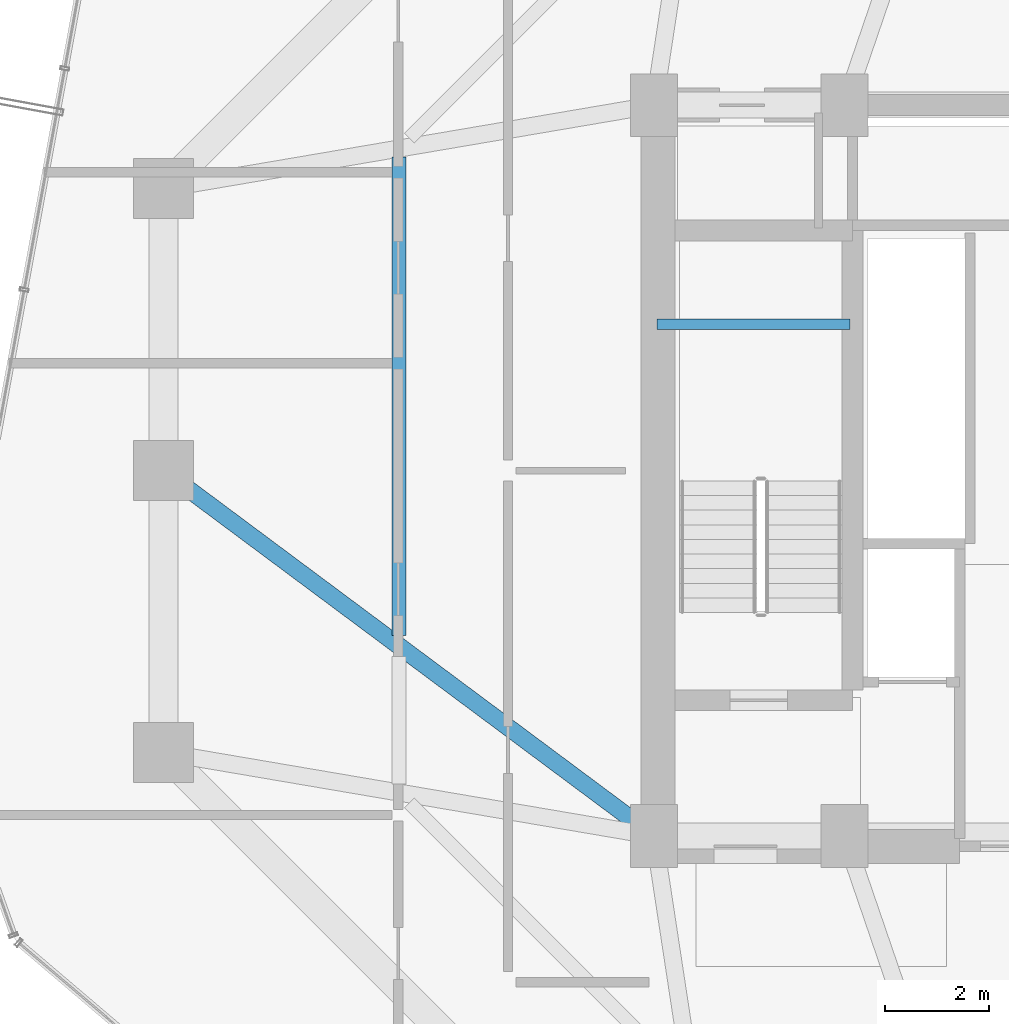
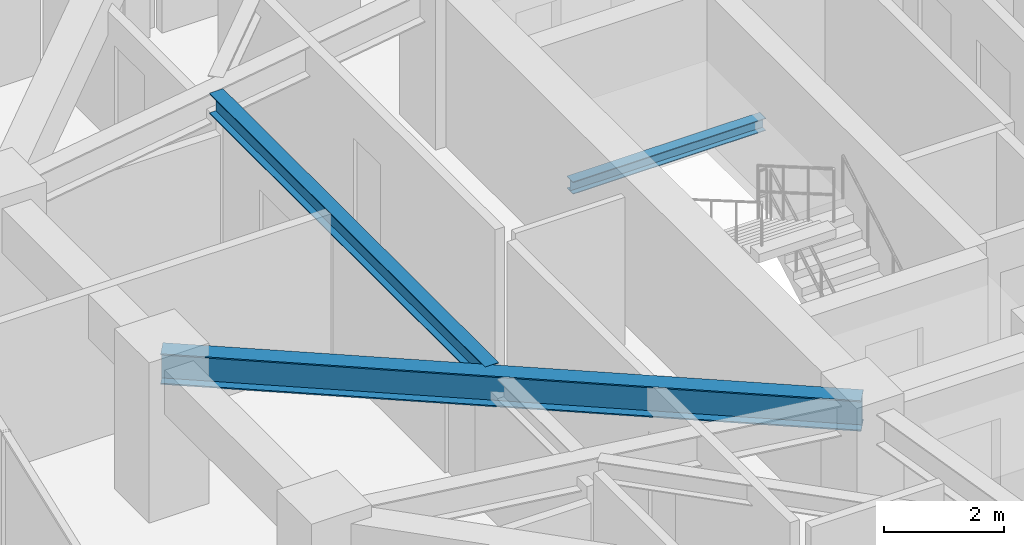
# One storey, part 12 of 33: 3 beams.
"""IFC4 building model written with IfcOpenShell, lengths in metres."""

from ifc_helpers import new_model, si_unit, direction, frame, origin, origin_2d, place, context, subcontext, project, spatial, i_section, extrude, material, material_profile, profile_set, type_object, element, save


model = new_model("IFC4")

# Units and contexts
model_context = context("Model", 3, precision=1e-05, world=origin(), true_north=direction((0.0, 1.0)))
body_context = subcontext(model_context, "Body", "Model", "MODEL_VIEW")
ifc_project = project(units=[si_unit("LENGTHUNIT", "METRE"), si_unit("AREAUNIT", "SQUARE_METRE"), si_unit("VOLUMEUNIT", "CUBIC_METRE"), si_unit("PLANEANGLEUNIT", "RADIAN"), si_unit("MASSUNIT", "GRAM", prefix="KILO")], contexts=[model_context])

# Site, building, storey
site_placement = place(None, origin())
site = spatial("IfcSite", under=ifc_project, at=site_placement, CompositionType="ELEMENT")
building_placement = place(site_placement, origin())
building = spatial("IfcBuilding", under=site, at=building_placement, Name="Veraguas Prism Commons", CompositionType="ELEMENT")
storey_placement = place(building_placement, frame((0.0, 0.0, 92.699951171875)))
storey = spatial("IfcBuildingStorey", under=building, at=storey_placement, Name="L25", CompositionType="ELEMENT", Elevation=92.699951171875)

# Beams
ifc_material = material(Name="Steel ASTM A992 Grade 50", Category="steel")
ifc_material_profile_1 = material_profile(ifc_material, i_section(OverallWidth=0.260986328125, OverallDepth=0.419921875, WebThickness=0.01171875, FlangeThickness=0.019287109375, at=origin_2d()), Name="W410X114")
ifc_profile_set_1 = profile_set([ifc_material_profile_1], Name="Steel ASTM A992 Grade 50")
beam_type_1 = type_object("IfcBeamType", Name="Lower Floor Joist W410x114", PredefinedType="JOIST", material=ifc_profile_set_1)
beam_1_placement = place(storey_placement, frame((12.31201171875, 30.003662109375, 2.7900390625), z_axis=(0.0, -1.0, 0.0), x_axis=(1.0, 0.0, 0.0)))
element("IfcBeam", 1, at=beam_1_placement, inside=storey, type_object=beam_type_1, Name="Composite Floor Joist L25-JS07", PredefinedType="JOIST", context=body_context, shape_type="SweptSolid", body=[
    extrude(i_section(OverallWidth=0.260986328125, OverallDepth=0.419921875, WebThickness=0.01171875, FlangeThickness=0.019287109375, at=origin_2d()), origin(), (0.0, 0.0, 1.0), 9.16162109375),
])
ifc_material_profile_2 = material_profile(ifc_material, i_section(OverallWidth=0.202880859375, OverallDepth=0.251953125, WebThickness=0.008056640625, FlangeThickness=0.013427734375, at=origin_2d()), Name="W250X58")
ifc_profile_set_2 = profile_set([ifc_material_profile_2], Name="Steel ASTM A992 Grade 50")
beam_type_2 = type_object("IfcBeamType", Name="Structural Opening Lintel W250x58", PredefinedType="LINTEL", material=ifc_profile_set_2)
beam_2_placement = place(storey_placement, frame((17.25, 26.800048828125, 1.299072265625), z_axis=(1.0, 0.0, 0.0), x_axis=(0.0, 1.0, 0.0)))
element("IfcBeam", 2, at=beam_2_placement, inside=storey, type_object=beam_type_2, Name="Stair ST-01 Half-Landing Support Beam L25-1", PredefinedType="LINTEL", context=body_context, shape_type="SweptSolid", body=[
    extrude(i_section(OverallWidth=0.202880859375, OverallDepth=0.251953125, WebThickness=0.008056640625, FlangeThickness=0.013427734375, at=origin_2d()), origin(), (0.0, 0.0, 1.0), 3.699951171875),
])
ifc_material_profile_3 = material_profile(ifc_material, i_section(OverallWidth=0.327880859375, OverallDepth=0.6220703125, WebThickness=0.015380859375, FlangeThickness=0.0244140625, at=origin_2d()), Name="W610X195")
ifc_profile_set_3 = profile_set([ifc_material_profile_3], Name="Steel ASTM A992 Grade 50")
beam_type_3 = type_object("IfcBeamType", Name="Zone 2 Radial Girder W610x195", PredefinedType="BEAM", material=ifc_profile_set_3)
beam_3_placement = place(storey_placement, frame((7.800048828125, 24.0, 2.68896484375), z_axis=(0.802040137921, -0.597270137512, 0.0), x_axis=(0.597270137512, 0.802040137921, 0.0)))
element("IfcBeam", 3, at=beam_3_placement, inside=storey, type_object=beam_type_3, Name="Radial Floor Girder L25-RD08", PredefinedType="BEAM", context=body_context, shape_type="SweptSolid", body=[
    extrude(i_section(OverallWidth=0.327880859375, OverallDepth=0.6220703125, WebThickness=0.015380859375, FlangeThickness=0.0244140625, at=origin_2d()), origin(), (0.0, 0.0, 1.0), 11.719970703125),
])

save(model, "model.ifc")
